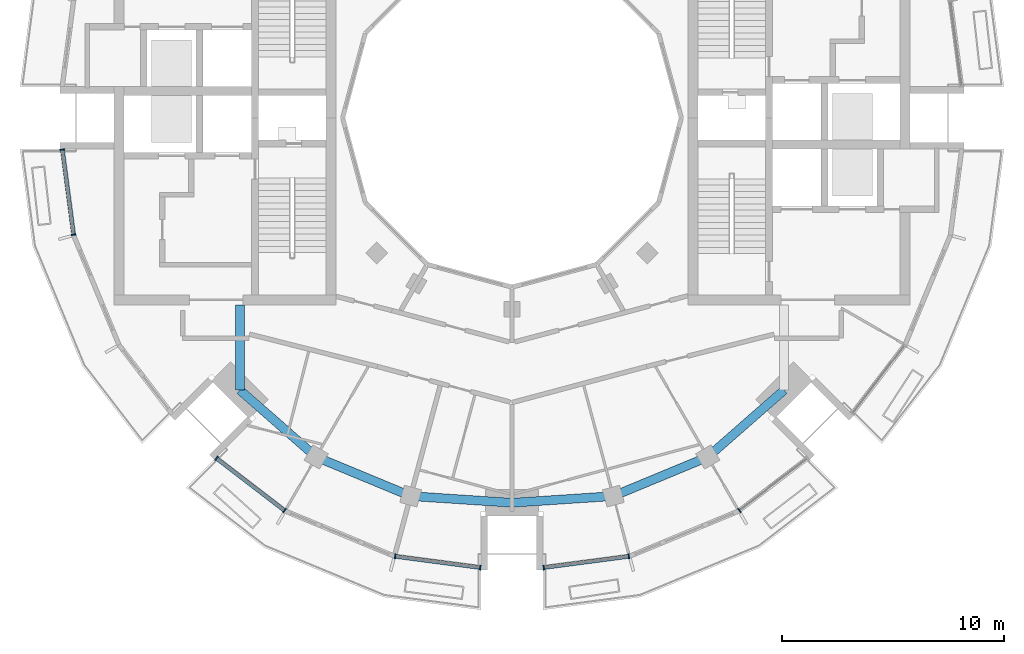
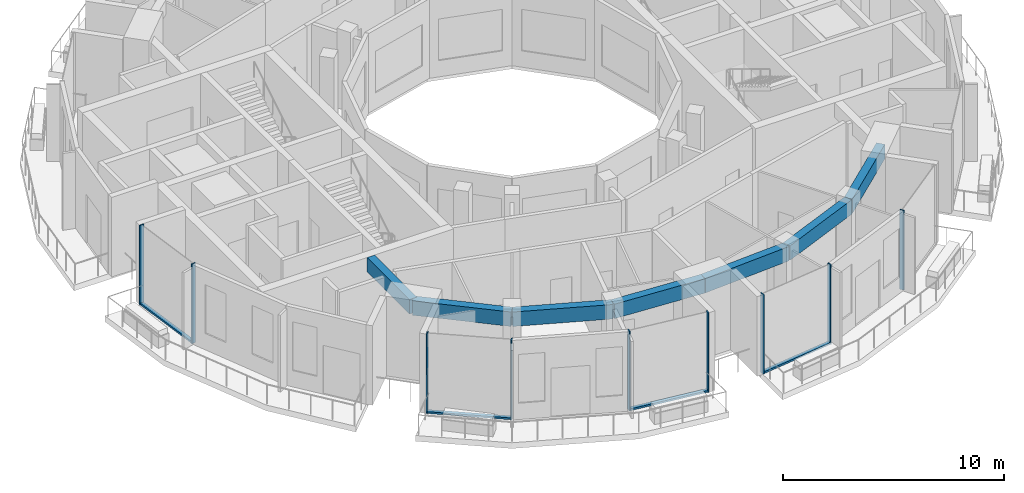
# One storey, part 2 of 15: 13 members, 7 beams, 5 elements without a shape of their own.
"""IFC4 building model written with IfcOpenShell, lengths in metres."""

from ifc_helpers import new_model, si_unit, direction, frame, origin, origin_2d, place, context, subcontext, project, spatial, rectangle, extrude, material, layer, layer_set, material_profile, profile_set, type_object, element, aggregate, save


model = new_model("IFC4")

# Units and contexts
model_context = context("Model", 3, precision=1e-05, world=origin(), true_north=direction((0.0, 1.0)))
body_context = subcontext(model_context, "Body", "Model", "MODEL_VIEW")
ifc_project = project(units=[si_unit("LENGTHUNIT", "METRE"), si_unit("AREAUNIT", "SQUARE_METRE"), si_unit("VOLUMEUNIT", "CUBIC_METRE"), si_unit("PLANEANGLEUNIT", "RADIAN"), si_unit("MASSUNIT", "GRAM", prefix="KILO")], contexts=[model_context])

# Site, building, storey
site_placement = place(None, origin())
site = spatial("IfcSite", under=ifc_project, at=site_placement, CompositionType="ELEMENT")
building_placement = place(site_placement, origin())
building = spatial("IfcBuilding", under=site, at=building_placement, Name="Torre Brocal", CompositionType="ELEMENT")
storey_placement = place(building_placement, frame((0.0, 0.0, 314.89990234375)))
storey = spatial("IfcBuildingStorey", under=building, at=storey_placement, Name="L72", CompositionType="ELEMENT", Elevation=314.89990234375)

# Curtain wall, members
ifc_material_1 = material(Name="Aluminium and glass", Category="aluminium")
ifc_layer = layer(ifc_material_1, 0.199951171875)
ifc_layer_set = layer_set([ifc_layer], Name="Aluminium and glass")
curtain_wall_type = type_object("IfcCurtainWallType", Name="CW-5 CURTAIN WALL 4400 HIGH", PredefinedType="NOTDEFINED", material=ifc_layer_set)
curtain_wall_1_placement = place(storey_placement, origin())
curtain_wall_1 = element("IfcCurtainWall", 1, at=curtain_wall_1_placement, inside=storey, type_object=curtain_wall_type, Name="CW-5 RUN 13", PredefinedType="NOTDEFINED")
ifc_material_2 = material(Name="Aluminium, dark anodised", Category="aluminium")
ifc_material_profile_1 = material_profile(ifc_material_2, rectangle(XDim=0.219970703125, YDim=0.06005859375, at=origin_2d()), Name="CW-5 MULLION 60X220")
ifc_profile_set_1 = profile_set([ifc_material_profile_1], Name="Aluminium, dark anodised")
member_type_1 = type_object("IfcMemberType", Name="CW-5 MULLION 60X220", PredefinedType="MULLION", material=ifc_profile_set_1)
member_1_placement = place(storey_placement, frame((59.7890625, 73.5703125, 0.0), z_axis=(0.0, 0.0, 1.0), x_axis=(0.991444861394, 0.130526192064, 0.0)))
member_1 = element("IfcMember", 2, at=member_1_placement, type_object=member_type_1, Name="CW5-1 mullion 1", PredefinedType="MULLION", context=body_context, shape_type="SweptSolid", body=[
    extrude(rectangle(XDim=0.219970703125, YDim=0.06005859375, at=origin_2d()), origin(), (0.0, 0.0, 1.0), 4.400146484375),
])
member_2_placement = place(storey_placement, frame((60.2919921875, 69.75, 0.0), z_axis=(0.0, 0.0, 1.0), x_axis=(0.991444861394, 0.130526192064, 0.0)))
member_2 = element("IfcMember", 3, at=member_2_placement, type_object=member_type_1, Name="CW5-1 mullion 2", PredefinedType="MULLION", context=body_context, shape_type="SweptSolid", body=[
    extrude(rectangle(XDim=0.219970703125, YDim=0.06005859375, at=origin_2d()), origin(), (0.0, 0.0, 1.0), 4.400146484375),
])

curtain_wall_2_placement = place(storey_placement, origin())
curtain_wall_2 = element("IfcCurtainWall", 4, at=curtain_wall_2_placement, inside=storey, type_object=curtain_wall_type, Name="CW-5 RUN 16", PredefinedType="NOTDEFINED")
member_3_placement = place(storey_placement, frame((66.7197265625, 59.69775390625, 0.0), z_axis=(0.0, 0.0, 1.0), x_axis=(0.608761428898, 0.793353340376, 0.0)))
member_3 = element("IfcMember", 5, at=member_3_placement, type_object=member_type_1, Name="CW5-1 mullion 1", PredefinedType="MULLION", context=body_context, shape_type="SweptSolid", body=[
    extrude(rectangle(XDim=0.219970703125, YDim=0.06005859375, at=origin_2d()), origin(), (0.0, 0.0, 1.0), 4.400146484375),
])
member_4_placement = place(storey_placement, frame((69.776611328125, 57.35205078125, 0.0), z_axis=(0.0, 0.0, 1.0), x_axis=(0.608761428898, 0.793353340376, 0.0)))
member_4 = element("IfcMember", 6, at=member_4_placement, type_object=member_type_1, Name="CW5-1 mullion 2", PredefinedType="MULLION", context=body_context, shape_type="SweptSolid", body=[
    extrude(rectangle(XDim=0.219970703125, YDim=0.06005859375, at=origin_2d()), origin(), (0.0, 0.0, 1.0), 4.400146484375),
])

curtain_wall_3_placement = place(storey_placement, origin())
curtain_wall_3 = element("IfcCurtainWall", 7, at=curtain_wall_3_placement, inside=storey, type_object=curtain_wall_type, Name="CW-5 RUN 18", PredefinedType="NOTDEFINED")
member_5_placement = place(storey_placement, frame((74.75, 55.2919921875, 0.0), z_axis=(0.0, 0.0, 1.0), x_axis=(0.130526192064, 0.991444861394, 0.0)))
member_5 = element("IfcMember", 8, at=member_5_placement, type_object=member_type_1, Name="CW5-1 mullion 1", PredefinedType="MULLION", context=body_context, shape_type="SweptSolid", body=[
    extrude(rectangle(XDim=0.219970703125, YDim=0.06005859375, at=origin_2d()), origin(), (0.0, 0.0, 1.0), 4.400146484375),
])
member_6_placement = place(storey_placement, frame((78.5703125, 54.7890625, 0.0), z_axis=(0.0, 0.0, 1.0), x_axis=(0.130526192064, 0.991444861394, 0.0)))
member_6 = element("IfcMember", 9, at=member_6_placement, type_object=member_type_1, Name="CW5-1 mullion 2", PredefinedType="MULLION", context=body_context, shape_type="SweptSolid", body=[
    extrude(rectangle(XDim=0.219970703125, YDim=0.06005859375, at=origin_2d()), origin(), (0.0, 0.0, 1.0), 4.400146484375),
])

curtain_wall_4_placement = place(storey_placement, origin())
curtain_wall_4 = element("IfcCurtainWall", 10, at=curtain_wall_4_placement, inside=storey, type_object=curtain_wall_type, Name="CW-5 RUN 19", PredefinedType="NOTDEFINED")
member_7_placement = place(storey_placement, frame((81.4296875, 54.7890625, 0.0), z_axis=(0.0, 0.0, 1.0), x_axis=(-0.130526192064, 0.991444861394, 0.0)))
member_7 = element("IfcMember", 11, at=member_7_placement, type_object=member_type_1, Name="CW5-1 mullion 1", PredefinedType="MULLION", context=body_context, shape_type="SweptSolid", body=[
    extrude(rectangle(XDim=0.219970703125, YDim=0.06005859375, at=origin_2d()), origin(), (0.0, 0.0, 1.0), 4.400146484375),
])
member_8_placement = place(storey_placement, frame((85.25, 55.2919921875, 0.0), z_axis=(0.0, 0.0, 1.0), x_axis=(-0.130526192064, 0.991444861394, 0.0)))
member_8 = element("IfcMember", 12, at=member_8_placement, type_object=member_type_1, Name="CW5-1 mullion 2", PredefinedType="MULLION", context=body_context, shape_type="SweptSolid", body=[
    extrude(rectangle(XDim=0.219970703125, YDim=0.06005859375, at=origin_2d()), origin(), (0.0, 0.0, 1.0), 4.400146484375),
])

# Curtain wall, member
curtain_wall_5_placement = place(storey_placement, origin())
curtain_wall_5 = element("IfcCurtainWall", 13, at=curtain_wall_5_placement, inside=storey, type_object=curtain_wall_type, Name="CW-5 RUN 21", PredefinedType="NOTDEFINED")
member_9_placement = place(storey_placement, frame((90.223388671875, 57.35205078125, 0.0), z_axis=(0.0, 0.0, 1.0), x_axis=(-0.608761428898, 0.793353340376, 0.0)))
member_9 = element("IfcMember", 14, at=member_9_placement, type_object=member_type_1, Name="CW5-1 mullion 1", PredefinedType="MULLION", context=body_context, shape_type="SweptSolid", body=[
    extrude(rectangle(XDim=0.219970703125, YDim=0.06005859375, at=origin_2d()), origin(), (0.0, 0.0, 1.0), 4.400146484375),
])
aggregate(curtain_wall_5, [member_9])

# Member
ifc_material_3 = material(Name="Aluminium, dark anodised", Category="aluminium")
ifc_material_profile_2 = material_profile(ifc_material_3, rectangle(XDim=0.179931640625, YDim=0.10009765625, at=origin_2d()), Name="CW-5 TRANSOM 180X100")
ifc_profile_set_2 = profile_set([ifc_material_profile_2], Name="Aluminium, dark anodised")
member_type_2 = type_object("IfcMemberType", Name="CW-5 TRANSOM 180X100", PredefinedType="USERDEFINED", material=ifc_profile_set_2)
member_10_placement = place(storey_placement, frame((59.79296875, 73.54052734375, 0.050048828125), z_axis=(0.130527769268, -0.99144465375, 0.0), x_axis=(0.99144465375, 0.130527769268, 0.0)))
member_10 = element("IfcMember", 15, at=member_10_placement, type_object=member_type_2, Name="CW5-1 transom 1.1", ObjectType="TRANSOM", PredefinedType="USERDEFINED", context=body_context, shape_type="SweptSolid", body=[
    extrude(rectangle(XDim=0.179931640625, YDim=0.10009765625, at=origin_2d()), origin(), (0.0, 0.0, 1.0), 3.793212890625),
])

aggregate(curtain_wall_1, [member_1, member_2, member_10])

member_11_placement = place(storey_placement, frame((66.743408203125, 59.679443359375, 0.050048828125), z_axis=(0.793379443335, -0.60872740935, 0.0), x_axis=(0.60872740935, 0.793379443335, 0.0)))
member_11 = element("IfcMember", 16, at=member_11_placement, type_object=member_type_2, Name="CW5-1 transom 1.1", ObjectType="TRANSOM", PredefinedType="USERDEFINED", context=body_context, shape_type="SweptSolid", body=[
    extrude(rectangle(XDim=0.179931640625, YDim=0.10009765625, at=origin_2d()), origin(), (0.0, 0.0, 1.0), 3.793212890625),
])

aggregate(curtain_wall_2, [member_3, member_4, member_11])

member_12_placement = place(storey_placement, frame((74.77978515625, 55.2880859375, 0.050048828125), z_axis=(0.99144465375, -0.130527769268, 0.0), x_axis=(0.130527769268, 0.99144465375, 0.0)))
member_12 = element("IfcMember", 17, at=member_12_placement, type_object=member_type_2, Name="CW5-1 transom 1.1", ObjectType="TRANSOM", PredefinedType="USERDEFINED", context=body_context, shape_type="SweptSolid", body=[
    extrude(rectangle(XDim=0.179931640625, YDim=0.10009765625, at=origin_2d()), origin(), (0.0, 0.0, 1.0), 3.793212890625),
])

aggregate(curtain_wall_3, [member_5, member_6, member_12])

member_13_placement = place(storey_placement, frame((81.45947265625, 54.79296875, 0.050048828125), z_axis=(0.99144465375, 0.130527769268, 0.0), x_axis=(-0.130527769268, 0.99144465375, 0.0)))
member_13 = element("IfcMember", 18, at=member_13_placement, type_object=member_type_2, Name="CW5-1 transom 1.1", ObjectType="TRANSOM", PredefinedType="USERDEFINED", context=body_context, shape_type="SweptSolid", body=[
    extrude(rectangle(XDim=0.179931640625, YDim=0.10009765625, at=origin_2d()), origin(), (0.0, 0.0, 1.0), 3.793212890625),
])

aggregate(curtain_wall_4, [member_7, member_8, member_13])

# Beams
ifc_material_4 = material(Name="Concrete C50", Category="concrete")
ifc_material_profile_3 = material_profile(ifc_material_4, rectangle(XDim=0.39990234375, YDim=0.800048828125, at=origin_2d()), Name="RC 400X800")
ifc_profile_set_3 = profile_set([ifc_material_profile_3], Name="Concrete C50")
beam_type = type_object("IfcBeamType", Name="RC SPANDREL BEAM 400X800 C50 TOP 4080", PredefinedType="SPANDREL", material=ifc_profile_set_3)
beam_1_placement = place(storey_placement, frame((67.76708984375, 62.76708984375, 3.68017578125), z_axis=(0.0, 1.0, 0.0), x_axis=(-1.0, 0.0, 0.0)))
element("IfcBeam", 19, at=beam_1_placement, inside=storey, type_object=beam_type, Name="Beam BT-50", PredefinedType="SPANDREL", context=body_context, shape_type="SweptSolid", body=[
    extrude(rectangle(XDim=0.39990234375, YDim=0.800048828125, at=origin_2d()), origin(), (0.0, 0.0, 1.0), 3.8330078125),
])
beam_2_placement = place(storey_placement, frame((67.76708984375, 62.76708984375, 3.68017578125), z_axis=(0.752003258433, -0.659159388393, 0.0), x_axis=(0.659159388393, 0.752003258433, 0.0)))
element("IfcBeam", 20, at=beam_2_placement, inside=storey, type_object=beam_type, Name="Beam BT-50", PredefinedType="SPANDREL", context=body_context, shape_type="SweptSolid", body=[
    extrude(rectangle(XDim=0.39990234375, YDim=0.800048828125, at=origin_2d()), origin(), (0.0, 0.0, 1.0), 4.56494140625),
])
beam_3_placement = place(storey_placement, frame((71.199951171875, 59.758056640625, 3.68017578125), z_axis=(0.923878240166, -0.382686552348, 0.0), x_axis=(0.382686552348, 0.923878240166, 0.0)))
element("IfcBeam", 21, at=beam_3_placement, inside=storey, type_object=beam_type, Name="Beam BT-50", PredefinedType="SPANDREL", context=body_context, shape_type="SweptSolid", body=[
    extrude(rectangle(XDim=0.39990234375, YDim=0.800048828125, at=origin_2d()), origin(), (0.0, 0.0, 1.0), 4.5947265625),
])
for number, where, z_axis, x_axis, name in (
    (22, (75.44482421875, 57.999755859375, 3.68017578125), (0.9978411205, -0.06567418244, 0.0), (0.06567418244, 0.9978411205, 0.0), "Beam BT-50"),
    (23, (80.0, 57.699951171875, 3.68017578125), (0.9978411205, 0.06567418244, 0.0), (-0.06567418244, 0.9978411205, 0.0), "Beam BT-50"),
):
    element("IfcBeam", number, at=place(storey_placement, frame(where, z_axis=z_axis, x_axis=x_axis)), inside=storey, type_object=beam_type, Name=name, PredefinedType="SPANDREL", context=body_context, shape_type="SweptSolid", body=[
        extrude(rectangle(XDim=0.39990234375, YDim=0.800048828125, at=origin_2d()), origin(), (0.0, 0.0, 1.0), 4.56494140625),
    ])
beam_4_placement = place(storey_placement, frame((84.55517578125, 57.999755859375, 3.68017578125), z_axis=(0.923878240166, 0.382686552348, 0.0), x_axis=(-0.382686552348, 0.923878240166, 0.0)))
element("IfcBeam", 24, at=beam_4_placement, inside=storey, type_object=beam_type, Name="Beam BT-50", PredefinedType="SPANDREL", context=body_context, shape_type="SweptSolid", body=[
    extrude(rectangle(XDim=0.39990234375, YDim=0.800048828125, at=origin_2d()), origin(), (0.0, 0.0, 1.0), 4.5947265625),
])
beam_5_placement = place(storey_placement, frame((88.800048828125, 59.758056640625, 3.68017578125), z_axis=(0.752003258433, 0.659159388393, 0.0), x_axis=(-0.659159388393, 0.752003258433, 0.0)))
element("IfcBeam", 25, at=beam_5_placement, inside=storey, type_object=beam_type, Name="Beam BT-50", PredefinedType="SPANDREL", context=body_context, shape_type="SweptSolid", body=[
    extrude(rectangle(XDim=0.39990234375, YDim=0.800048828125, at=origin_2d()), origin(), (0.0, 0.0, 1.0), 4.56494140625),
])

save(model, "model.ifc")
